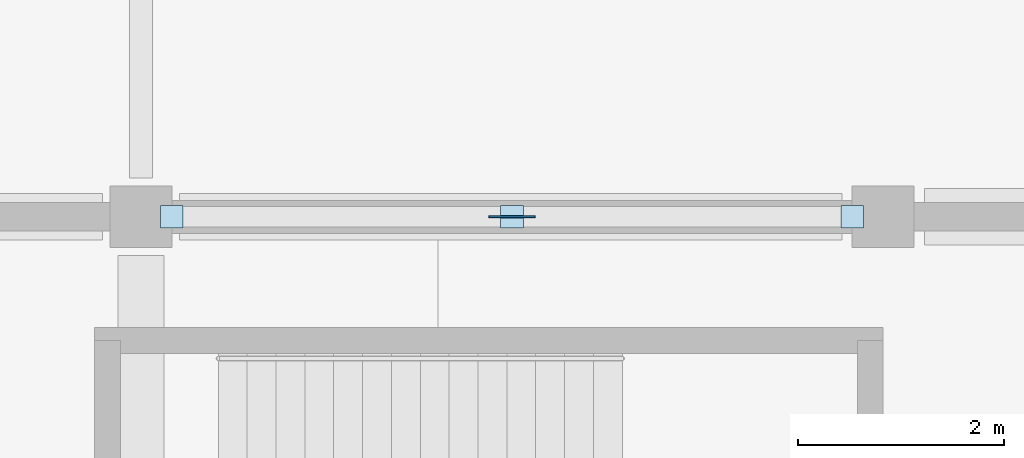
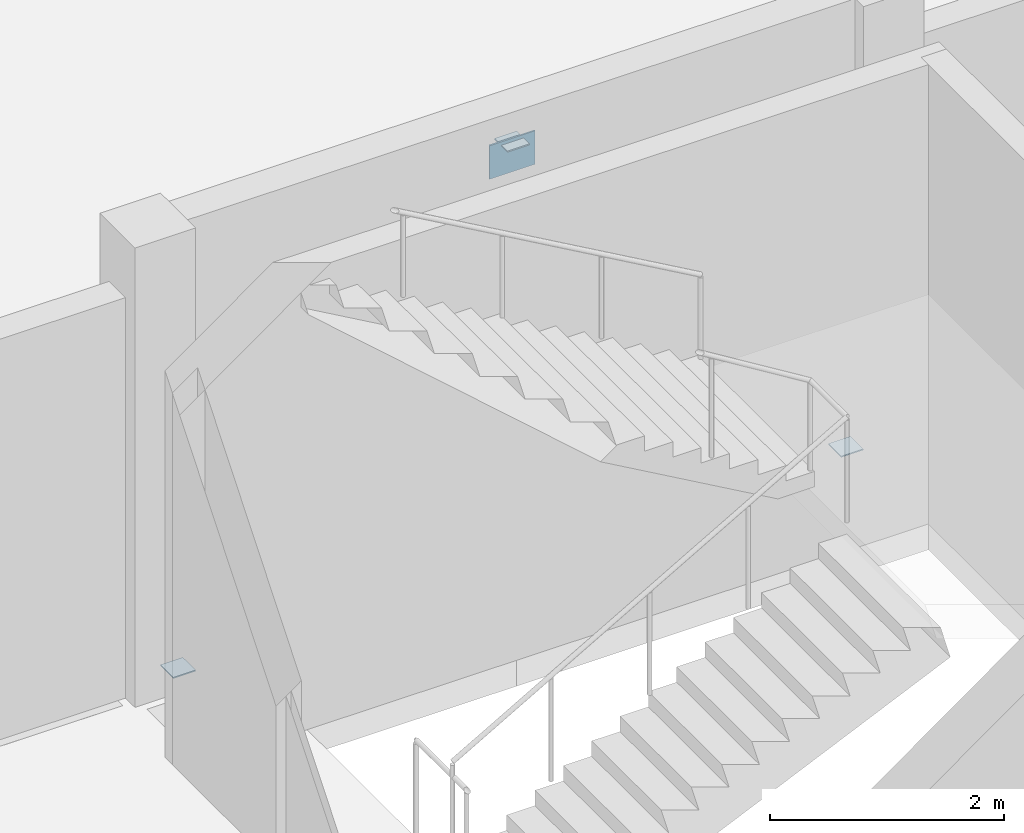
# One storey, part 53 of 82: 4 plates.
"""IFC4 building model written with IfcOpenShell, lengths in metres."""

from ifc_helpers import new_model, si_unit, direction, frame, origin, origin_2d, place, context, subcontext, project, spatial, rectangle, extrude, material, layer, layer_set, type_object, element, save


model = new_model("IFC4")

# Units and contexts
model_context = context("Model", 3, precision=1e-05, world=origin(), true_north=direction((0.0, 1.0)))
body_context = subcontext(model_context, "Body", "Model", "MODEL_VIEW")
ifc_project = project(units=[si_unit("LENGTHUNIT", "METRE"), si_unit("AREAUNIT", "SQUARE_METRE"), si_unit("VOLUMEUNIT", "CUBIC_METRE"), si_unit("PLANEANGLEUNIT", "RADIAN"), si_unit("MASSUNIT", "GRAM", prefix="KILO")], contexts=[model_context])

# Site, building, storey
site_placement = place(None, origin())
site = spatial("IfcSite", under=ifc_project, at=site_placement, CompositionType="ELEMENT")
building_placement = place(site_placement, origin())
building = spatial("IfcBuilding", under=site, at=building_placement, Name="Sardonyx Promenade Sports Hall", CompositionType="ELEMENT")
storey_placement = place(building_placement, frame((0.0, 0.0, 11.199951171875)))
storey = spatial("IfcBuildingStorey", under=building, at=storey_placement, Name="L02", CompositionType="ELEMENT", Elevation=11.199951171875)

# Plates
ifc_material_1 = material(Name="Steel S355JR", Category="steel")
ifc_layer_1 = layer(ifc_material_1, 0.011962890625)
ifc_layer_set_1 = layer_set([ifc_layer_1], Name="Plt_EndCap_EC3")
plate_type_1 = type_object("IfcPlateType", Name="Plt_EndCap_EC3", PredefinedType="USERDEFINED", material=ifc_layer_set_1)
for number, where, z_axis, x_axis, name in (
    (1, (72.300048828125, 28.800048828125, 0.01416015625), (0.0, 0.0, 1.0), (1.0, 0.0, 0.0), "Brace foot end-cap plate EC3 BF6 L02 L1"),
    (2, (78.89990234375, 28.800048828125, 0.01416015625), (0.0, 0.0, 1.0), (1.0, 0.0, 0.0), "Brace foot end-cap plate EC3 BF6 L02 L2"),
    (3, (75.60009765625, 28.800048828125, 4.35888671875), (0.0, 0.0, 1.0), (1.0, 0.0, 0.0), "Brace apex cap plate EC3 BF6 L02"),
):
    element("IfcPlate", number, at=place(storey_placement, frame(where, z_axis=z_axis, x_axis=x_axis)), inside=storey, type_object=plate_type_1, Name=name, ObjectType="END CAP PLATE", PredefinedType="USERDEFINED", context=body_context, shape_type="SweptSolid", body=[
        extrude(rectangle(XDim=0.219970703125, YDim=0.219970703125, at=origin_2d()), origin(), (0.0, 0.0, 1.0), 0.011962890625),
    ])
ifc_material_2 = material(Name="Steel S355JR", Category="steel")
ifc_layer_2 = layer(ifc_material_2, 0.01611328125)
ifc_layer_set_2 = layer_set([ifc_layer_2], Name="Plt_Gusset_KN3")
plate_type_2 = type_object("IfcPlateType", Name="Plt_Gusset_KN3", PredefinedType="USERDEFINED", material=ifc_layer_set_2)
plate_placement = place(storey_placement, frame((75.60009765625, 28.800048828125, 4.054931640625), z_axis=(0.0, 0.0, 1.0), x_axis=(1.0, 0.0, 0.0)))
element("IfcPlate", 4, at=plate_placement, inside=storey, type_object=plate_type_2, Name="Braced-frame apex gusset KN3 BF6 L02", ObjectType="GUSSET PLATE", PredefinedType="USERDEFINED", context=body_context, shape_type="SweptSolid", body=[
    extrude(rectangle(XDim=0.449951171875, YDim=0.01611328125, at=origin_2d()), origin(), (0.0, 0.0, 1.0), 0.35009765625),
])

save(model, "model.ifc")
